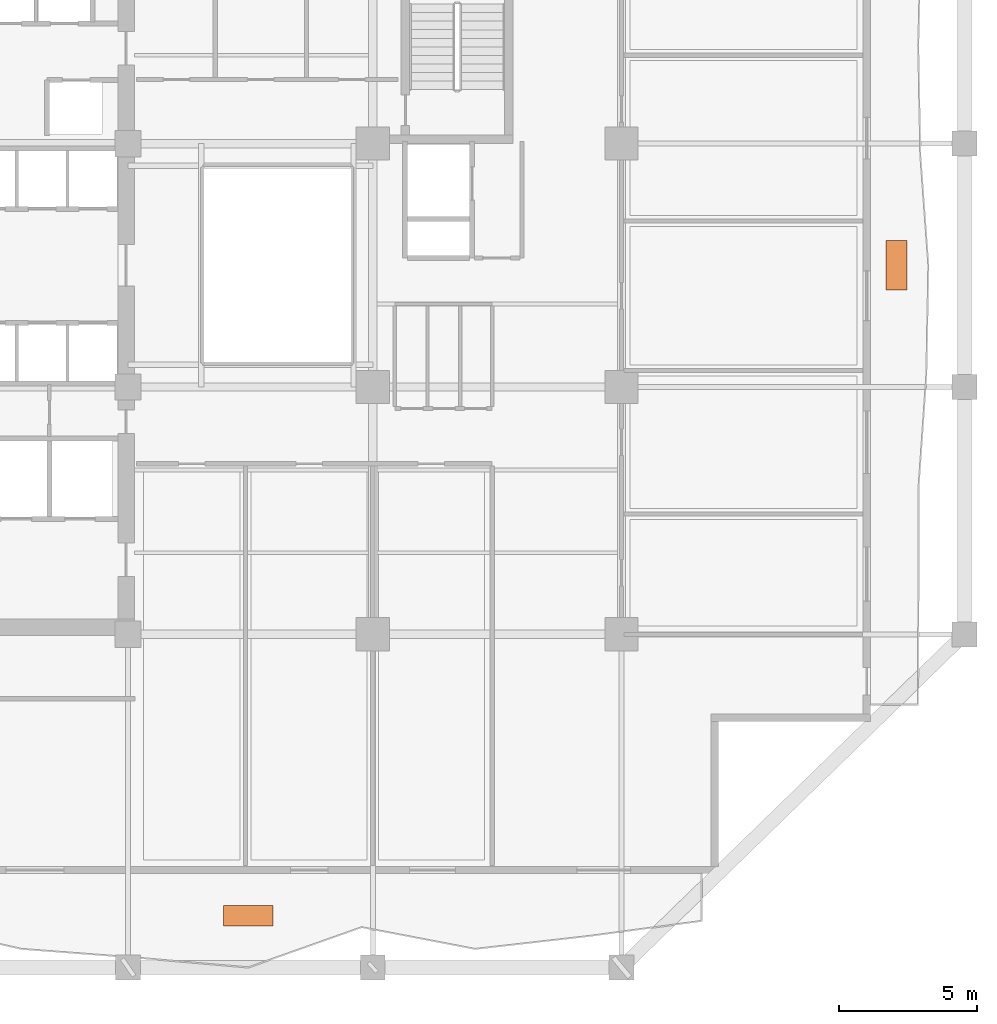
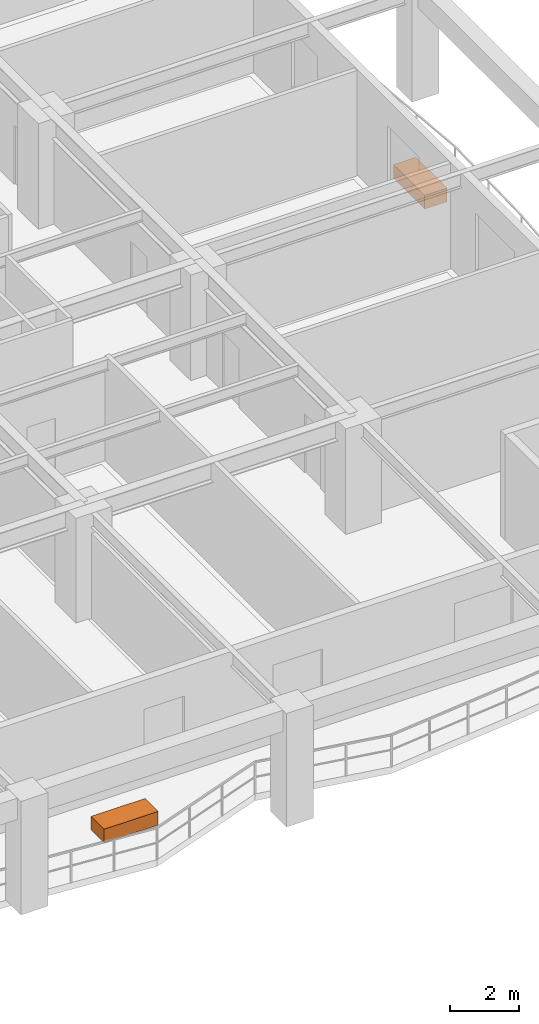
# One storey, part 13 of 13: 2 proxies.
"""IFC4 building model written with IfcOpenShell, lengths in metres."""

from ifc_helpers import new_model, si_unit, direction, frame, origin, origin_2d, place, context, subcontext, project, spatial, rectangle, extrude, material, type_object, element, save


model = new_model("IFC4")

# Units and contexts
model_context = context("Model", 3, precision=1e-05, world=origin(), true_north=direction((0.0, 1.0)))
body_context = subcontext(model_context, "Body", "Model", "MODEL_VIEW")
ifc_project = project(units=[si_unit("LENGTHUNIT", "METRE"), si_unit("AREAUNIT", "SQUARE_METRE"), si_unit("VOLUMEUNIT", "CUBIC_METRE"), si_unit("PLANEANGLEUNIT", "RADIAN"), si_unit("MASSUNIT", "GRAM", prefix="KILO")], contexts=[model_context])

# Site, building, storey
site_placement = place(None, origin())
site = spatial("IfcSite", under=ifc_project, at=site_placement, CompositionType="ELEMENT")
building_placement = place(site_placement, origin())
building = spatial("IfcBuilding", under=site, at=building_placement, Name="Kundavana Baori Tower", CompositionType="ELEMENT")
storey_placement = place(building_placement, frame((0.0, 0.0, 58.0)))
storey = spatial("IfcBuildingStorey", under=building, at=storey_placement, Name="L13", CompositionType="ELEMENT", Elevation=58.0)

# Proxies
ifc_material = material(Name="Red-Buff Dholpur Sandstone Cladding on Concrete C40/50", Category="masonry")
building_element_proxy_type = type_object("IfcBuildingElementProxyType", Name="PRX-PLANTER-1800", PredefinedType="USERDEFINED", material=ifc_material)
for number, where, z_axis, x_axis, name in (
    (1, (29.300048828125, 5.070068359375, 0.0), (0.0, 0.0, 1.0), (1.0, 0.0, 0.0), "L13 Dholpur Stone Structural Tree Planter S"),
    (2, (52.7470703125, 28.60009765625, 0.0), (0.0, 0.0, 1.0), (0.0, 1.0, 0.0), "L13 Dholpur Stone Structural Tree Planter E"),
):
    element("IfcBuildingElementProxy", number, at=place(storey_placement, frame(where, z_axis=z_axis, x_axis=x_axis)), inside=storey, type_object=building_element_proxy_type, Name=name, ObjectType="PLANTER", PredefinedType="USERDEFINED", context=body_context, shape_type="SweptSolid", body=[
        extrude(rectangle(XDim=1.800048828125, YDim=0.75, at=origin_2d()), origin(), (0.0, 0.0, 1.0), 0.47998046875),
    ])

save(model, "model.ifc")
